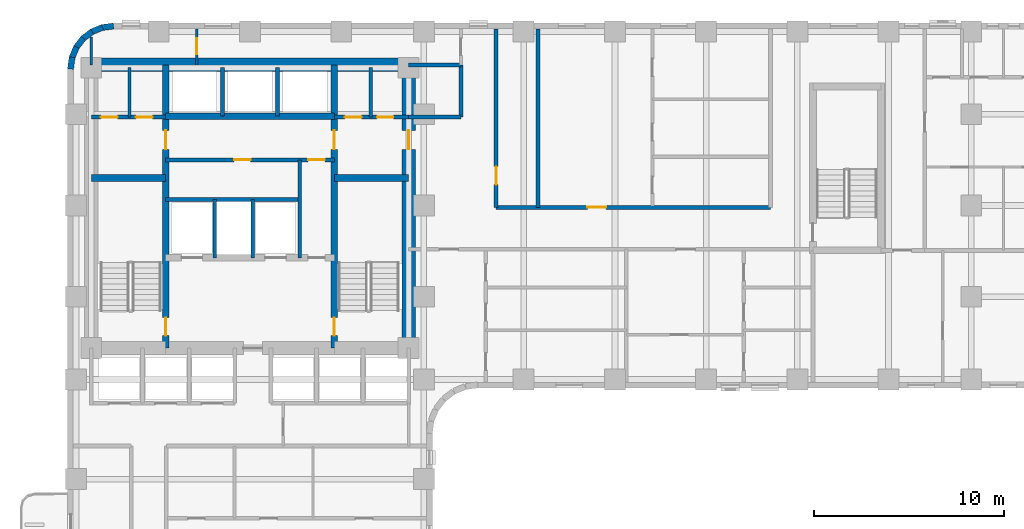
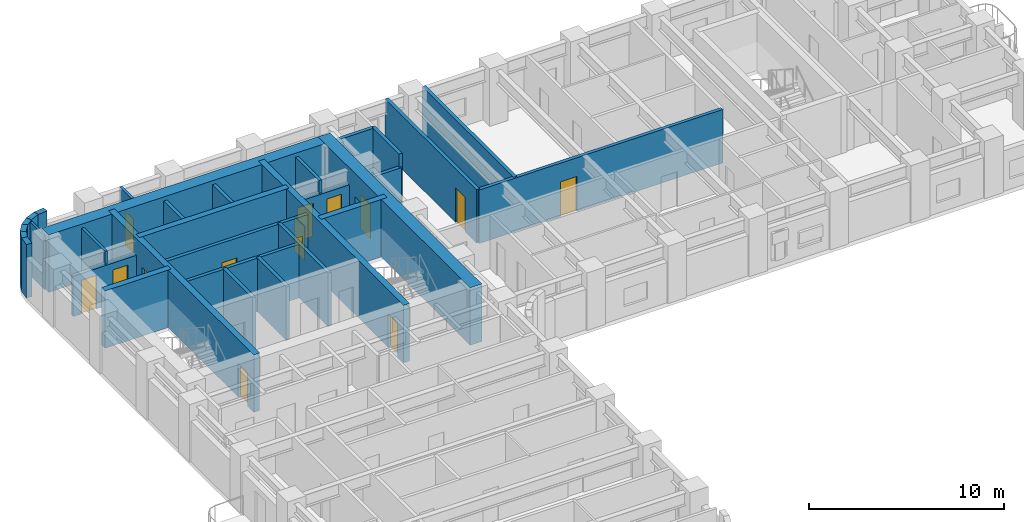
# One storey, part 7 of 12: 32 walls, 14 doors, 14 openings.
"""IFC4 building model written with IfcOpenShell, lengths in metres."""

from ifc_helpers import new_model, si_unit, direction, frame, frame_2d, origin, place, context, subcontext, project, spatial, rectangle, extrude, material, layer, layer_set, type_object, element, fill, save


model = new_model("IFC4")

# Units and contexts
model_context = context("Model", 3, precision=1e-05, world=origin(), true_north=direction((0.0, 1.0)))
body_context = subcontext(model_context, "Body", "Model", "MODEL_VIEW")
ifc_project = project(units=[si_unit("LENGTHUNIT", "METRE"), si_unit("AREAUNIT", "SQUARE_METRE"), si_unit("VOLUMEUNIT", "CUBIC_METRE"), si_unit("PLANEANGLEUNIT", "RADIAN"), si_unit("MASSUNIT", "GRAM", prefix="KILO")], contexts=[model_context])

# Site, building, storey
site_placement = place(None, origin())
site = spatial("IfcSite", under=ifc_project, at=site_placement, CompositionType="ELEMENT")
building_placement = place(site_placement, origin())
building = spatial("IfcBuilding", under=site, at=building_placement, Name="Orvandelia Arch Residences", CompositionType="ELEMENT")
storey_placement = place(building_placement, frame((0.0, 0.0, 71.800048828125)))
storey = spatial("IfcBuildingStorey", under=building, at=storey_placement, Name="L18", CompositionType="ELEMENT", Elevation=71.800048828125)

# Wall, openings, doors
ifc_material_1 = material(Name="Concrete C50/60", Category="concrete")
ifc_layer_1 = layer(ifc_material_1, 0.35009765625, Name="Concrete C50/60", Category="concrete")
ifc_layer_set_1 = layer_set([ifc_layer_1], Name="Concrete C50/60")
wall_type_1 = type_object("IfcWallType", Name="WL-CORE-350", PredefinedType="SHEAR", material=ifc_layer_set_1)
wall_1_placement = place(storey_placement, frame((9.9599609375, 30.89990234375, 0.0), z_axis=(0.0, 0.0, 1.0), x_axis=(0.0, 1.0, 0.0)))
wall_1 = element("IfcWall", 1, at=wall_1_placement, inside=storey, type_object=wall_type_1, Name="Core Shear Wall L18-WEB1", PredefinedType="SHEAR", context=body_context, shape_type="SweptSolid", body=[
    extrude(rectangle(XDim=14.900146484375, YDim=0.35009765625, at=frame_2d((7.4501953125, 0.0))), origin(), (0.0, 0.0, 1.0), 3.599853515625),
])
opening_1_placement = place(wall_1_placement, frame((0.64990234375, 0.0, 0.0)))
opening_1 = element("IfcOpeningElement", 2, at=opening_1_placement, cuts=wall_1, Name="Opening D7", PredefinedType="OPENING", context=body_context, shape_type="SweptSolid", body=[
    extrude(rectangle(XDim=0.949951171875, YDim=2.10009765625, at=frame_2d((0.47509765625, 1.050048828125))), frame((0.0, 0.18505859375, 0.0), z_axis=(0.0, -1.0, 0.0), x_axis=(1.0, 0.0, 0.0)), (0.0, 0.0, 1.0), 0.3701171875),
])
opening_2_placement = place(wall_1_placement, frame((10.449951171875, 0.0, 0.0)))
opening_2 = element("IfcOpeningElement", 3, at=opening_2_placement, cuts=wall_1, Name="Opening D6", PredefinedType="OPENING", context=body_context, shape_type="SweptSolid", body=[
    extrude(rectangle(XDim=1.0, YDim=2.14990234375, at=frame_2d((0.5, 1.074951171875))), frame((0.0, 0.18505859375, 0.0), z_axis=(0.0, -1.0, 0.0), x_axis=(1.0, 0.0, 0.0)), (0.0, 0.0, 1.0), 0.3701171875),
])
ifc_material_2 = material(Name="Smokeproof Painted Steel Fire Door", Category="steel")
door_type_1 = type_object("IfcDoorType", Name="DR-FD60-1000", OperationType="NOTDEFINED", PredefinedType="DOOR", material=ifc_material_2)
door_1_placement = place(opening_2_placement, origin())
door_1 = element("IfcDoor", 4, at=door_1_placement, inside=storey, type_object=door_type_1, Name="High-Rise Lift Hall West Vestibule Door L18", OperationType="SINGLE_SWING_LEFT", OverallHeight=2.14990234375, OverallWidth=1.0, PredefinedType="DOOR", context=body_context, shape_type="SweptSolid", body=[
    extrude(rectangle(XDim=1.0, YDim=2.14990234375, at=frame_2d((0.5, 1.074951171875))), frame((0.0, 0.02490234375, 0.0), z_axis=(0.0, -1.0, 0.0), x_axis=(1.0, 0.0, 0.0)), (0.0, 0.0, 1.0), 0.050048828125),
])
fill(opening_2, door_1)
ifc_material_3 = material(Name="Pressurised Stairwell Fire Door")
door_type_2 = type_object("IfcDoorType", Name="DR-STAIR-950", OperationType="NOTDEFINED", PredefinedType="DOOR", material=ifc_material_3)
door_2_placement = place(opening_1_placement, origin())
door_2 = element("IfcDoor", 5, at=door_2_placement, inside=storey, type_object=door_type_2, Name="Stairwell ST-1 Fire Door L18", OperationType="SINGLE_SWING_LEFT", OverallHeight=2.10009765625, OverallWidth=0.949951171875, PredefinedType="DOOR", context=body_context, shape_type="SweptSolid", body=[
    extrude(rectangle(XDim=0.949951171875, YDim=2.10009765625, at=frame_2d((0.47509765625, 1.050048828125))), frame((0.0, 0.02490234375, 0.0), z_axis=(0.0, -1.0, 0.0), x_axis=(1.0, 0.0, 0.0)), (0.0, 0.0, 1.0), 0.050048828125),
])
fill(opening_1, door_2)

wall_2_placement = place(storey_placement, frame((18.840087890625, 30.89990234375, 0.0), z_axis=(0.0, 0.0, 1.0), x_axis=(0.0, 1.0, 0.0)))
wall_2 = element("IfcWall", 6, at=wall_2_placement, inside=storey, type_object=wall_type_1, Name="Core Shear Wall L18-WEB2", PredefinedType="SHEAR", context=body_context, shape_type="SweptSolid", body=[
    extrude(rectangle(XDim=14.900146484375, YDim=0.35009765625, at=frame_2d((7.4501953125, 0.0))), origin(), (0.0, 0.0, 1.0), 3.599853515625),
])
opening_3_placement = place(wall_2_placement, frame((0.64990234375, 0.0, 0.0)))
opening_3 = element("IfcOpeningElement", 7, at=opening_3_placement, cuts=wall_2, Name="Opening D7", PredefinedType="OPENING", context=body_context, shape_type="SweptSolid", body=[
    extrude(rectangle(XDim=0.949951171875, YDim=2.10009765625, at=frame_2d((0.47509765625, 1.050048828125))), frame((0.0, 0.18505859375, 0.0), z_axis=(0.0, -1.0, 0.0), x_axis=(1.0, 0.0, 0.0)), (0.0, 0.0, 1.0), 0.3701171875),
])
opening_4_placement = place(wall_2_placement, frame((10.449951171875, 0.0, 0.0)))
opening_4 = element("IfcOpeningElement", 8, at=opening_4_placement, cuts=wall_2, Name="Opening D6", PredefinedType="OPENING", context=body_context, shape_type="SweptSolid", body=[
    extrude(rectangle(XDim=1.0, YDim=2.14990234375, at=frame_2d((0.5, 1.074951171875))), frame((0.0, 0.18505859375, 0.0), z_axis=(0.0, -1.0, 0.0), x_axis=(1.0, 0.0, 0.0)), (0.0, 0.0, 1.0), 0.3701171875),
])
door_3_placement = place(opening_4_placement, origin())
door_3 = element("IfcDoor", 9, at=door_3_placement, inside=storey, type_object=door_type_1, Name="High-Rise Lift Hall East Vestibule Door L18", OperationType="SINGLE_SWING_RIGHT", OverallHeight=2.14990234375, OverallWidth=1.0, PredefinedType="DOOR", context=body_context, shape_type="SweptSolid", body=[
    extrude(rectangle(XDim=1.0, YDim=2.14990234375, at=frame_2d((0.5, 1.074951171875))), frame((0.0, 0.02490234375, 0.0), z_axis=(0.0, -1.0, 0.0), x_axis=(1.0, 0.0, 0.0)), (0.0, 0.0, 1.0), 0.050048828125),
])
fill(opening_4, door_3)
door_4_placement = place(opening_3_placement, origin())
door_4 = element("IfcDoor", 10, at=door_4_placement, inside=storey, type_object=door_type_2, Name="Stairwell ST-2 Fire Door L18", OperationType="SINGLE_SWING_RIGHT", OverallHeight=2.10009765625, OverallWidth=0.949951171875, PredefinedType="DOOR", context=body_context, shape_type="SweptSolid", body=[
    extrude(rectangle(XDim=0.949951171875, YDim=2.10009765625, at=frame_2d((0.47509765625, 1.050048828125))), frame((0.0, 0.02490234375, 0.0), z_axis=(0.0, -1.0, 0.0), x_axis=(1.0, 0.0, 0.0)), (0.0, 0.0, 1.0), 0.050048828125),
])
fill(opening_3, door_4)

# Walls
for number, where, z_axis, x_axis, name in (
    (11, (6.050048828125, 39.85009765625, 0.0), (0.0, 0.0, 1.0), (1.0, 0.0, 0.0), "Core Shear Wall L18-HZ1"),
    (12, (18.840087890625, 39.85009765625, 0.0), (0.0, 0.0, 1.0), (1.0, 0.0, 0.0), "Core Shear Wall L18-HZ2"),
):
    element("IfcWall", number, at=place(storey_placement, frame(where, z_axis=z_axis, x_axis=x_axis)), inside=storey, type_object=wall_type_1, Name=name, PredefinedType="SHEAR", context=body_context, shape_type="SweptSolid", body=[
        extrude(rectangle(XDim=3.909912109375, YDim=0.35009765625, at=frame_2d((1.955078125, 0.0))), origin(), (0.0, 0.0, 1.0), 3.599853515625),
    ])
wall_3_placement = place(storey_placement, frame((9.9599609375, 43.10009765625, 0.0), z_axis=(0.0, 0.0, 1.0), x_axis=(1.0, 0.0, 0.0)))
element("IfcWall", 13, at=wall_3_placement, inside=storey, type_object=wall_type_1, Name="Core Shear Wall L18-HZ4", PredefinedType="SHEAR", context=body_context, shape_type="SweptSolid", body=[
    extrude(rectangle(XDim=8.880126953125, YDim=0.35009765625, at=frame_2d((4.43994140625, 0.0))), origin(), (0.0, 0.0, 1.0), 3.599853515625),
])

# Wall, opening, door
ifc_material_4 = material(Name="Concrete C80/95", Category="concrete")
ifc_layer_2 = layer(ifc_material_4, 0.699951171875, Name="Concrete C80/95", Category="concrete")
ifc_layer_set_2 = layer_set([ifc_layer_2], Name="Concrete C80/95")
wall_type_2 = type_object("IfcWallType", Name="WL-CORE-700", PredefinedType="SHEAR", material=ifc_layer_set_2)
wall_4_placement = place(storey_placement, frame((22.75, 30.550048828125, 0.0), z_axis=(0.0, 0.0, 1.0), x_axis=(0.0, 1.0, 0.0)))
wall_4 = element("IfcWall", 14, at=wall_4_placement, inside=storey, type_object=wall_type_2, Name="Core Shear Wall L18-E", PredefinedType="SHEAR", context=body_context, shape_type="SweptSolid", body=[
    extrude(rectangle(XDim=15.599853515625, YDim=0.699951171875, at=frame_2d((7.7998046875, 0.0))), origin(), (0.0, 0.0, 1.0), 3.599853515625),
])
opening_5_placement = place(wall_4_placement, frame((10.800048828125, 0.0, 0.0)))
opening_5 = element("IfcOpeningElement", 15, at=opening_5_placement, cuts=wall_4, Name="Opening D6", PredefinedType="OPENING", context=body_context, shape_type="SweptSolid", body=[
    extrude(rectangle(XDim=1.0, YDim=2.14990234375, at=frame_2d((0.5, 1.074951171875))), frame((0.0, 0.35986328125, 0.0), z_axis=(0.0, -1.0, 0.0), x_axis=(1.0, 0.0, 0.0)), (0.0, 0.0, 1.0), 0.719970703125),
])
door_5_placement = place(opening_5_placement, origin())
door_5 = element("IfcDoor", 16, at=door_5_placement, inside=storey, type_object=door_type_1, Name="Core East Corridor Link Door L18", OperationType="SINGLE_SWING_LEFT", OverallHeight=2.14990234375, OverallWidth=1.0, PredefinedType="DOOR", context=body_context, shape_type="SweptSolid", body=[
    extrude(rectangle(XDim=1.0, YDim=2.14990234375, at=frame_2d((0.5, 1.074951171875))), frame((0.0, 0.02490234375, 0.0), z_axis=(0.0, -1.0, 0.0), x_axis=(1.0, 0.0, 0.0)), (0.0, 0.0, 1.0), 0.050048828125),
])
fill(opening_5, door_5)

# Walls
wall_5_placement = place(storey_placement, frame((6.050048828125, 45.800048828125, 0.0), z_axis=(0.0, 0.0, 1.0), x_axis=(1.0, 0.0, 0.0)))
element("IfcWall", 17, at=wall_5_placement, inside=storey, type_object=wall_type_2, Name="Core Shear Wall L18-N", PredefinedType="SHEAR", context=body_context, shape_type="SweptSolid", body=[
    extrude(rectangle(XDim=16.699951171875, YDim=0.699951171875, at=frame_2d((8.35009765625, 0.0))), origin(), (0.0, 0.0, 1.0), 3.599853515625),
])
ifc_material_5 = material(Name="Fire-Rated Corridor Partition")
ifc_layer_3 = layer(ifc_material_5, 0.199951171875, Name="Fire-Rated Corridor Partition")
ifc_layer_set_3 = layer_set([ifc_layer_3], Name="Fire-Rated Corridor Partition")
wall_type_3 = type_object("IfcWallType", Name="WL-CORR-200", PredefinedType="PARTITIONING", material=ifc_layer_set_3)
wall_6_placement = place(storey_placement, frame((22.75, 45.800048828125, 0.0), z_axis=(0.0, 0.0, 1.0), x_axis=(1.0, 0.0, 0.0)))
element("IfcWall", 18, at=wall_6_placement, inside=storey, type_object=wall_type_3, Name="Interior Partition Wall WL-L18-NCE-S", PredefinedType="PARTITIONING", context=body_context, shape_type="SweptSolid", body=[
    extrude(rectangle(XDim=2.75, YDim=0.199951171875, at=frame_2d((1.375, 0.0))), origin(), (0.0, 0.0, 1.0), 3.349853515625),
])

# Wall, opening, door
wall_7_placement = place(storey_placement, frame((27.35009765625, 38.300048828125, 0.0), z_axis=(0.0, 0.0, 1.0), x_axis=(1.0, 0.0, 0.0)))
wall_7 = element("IfcWall", 19, at=wall_7_placement, inside=storey, type_object=wall_type_3, Name="Interior Partition Wall WL-L18-EM-N", PredefinedType="PARTITIONING", context=body_context, shape_type="SweptSolid", body=[
    extrude(rectangle(XDim=14.429931640625, YDim=0.199951171875, at=frame_2d((7.21484375, 0.0))), origin(), (0.0, 0.0, 1.0), 3.349853515625),
])
opening_6_placement = place(wall_7_placement, frame((4.803466796875, 0.0, 0.0)))
opening_6 = element("IfcOpeningElement", 20, at=opening_6_placement, cuts=wall_7, Name="Opening D1", PredefinedType="OPENING", context=body_context, shape_type="SweptSolid", body=[
    extrude(rectangle(XDim=0.97998046875, YDim=2.179931640625, at=frame_2d((0.489990234375, 1.08984375))), frame((0.0, 0.10986328125, 0.0), z_axis=(0.0, -1.0, 0.0), x_axis=(1.0, 0.0, 0.0)), (0.0, 0.0, 1.0), 0.219970703125),
])
ifc_material_6 = material(Name="Solid-Core Timber Acoustic Fire Door", Category="wood")
door_type_3 = type_object("IfcDoorType", Name="DR-ENT-980", OperationType="NOTDEFINED", PredefinedType="DOOR", material=ifc_material_6)
door_6_placement = place(opening_6_placement, origin())
door_6 = element("IfcDoor", 21, at=door_6_placement, inside=storey, type_object=door_type_3, Name="Unit L18-06 Entrance Door", OperationType="SINGLE_SWING_RIGHT", OverallHeight=2.179931640625, OverallWidth=0.97998046875, PredefinedType="DOOR", context=body_context, shape_type="SweptSolid", body=[
    extrude(rectangle(XDim=0.97998046875, YDim=2.179931640625, at=frame_2d((0.489990234375, 1.08984375))), frame((0.0, 0.02490234375, 0.0), z_axis=(0.0, -1.0, 0.0), x_axis=(1.0, 0.0, 0.0)), (0.0, 0.0, 1.0), 0.050048828125),
])
fill(opening_6, door_6)

wall_8_placement = place(storey_placement, frame((27.35009765625, 38.300048828125, 0.0), z_axis=(0.0, 0.0, 1.0), x_axis=(0.0, 1.0, 0.0)))
wall_8 = element("IfcWall", 22, at=wall_8_placement, inside=storey, type_object=wall_type_3, Name="Interior Partition Wall WL-L18-EM-NCE", PredefinedType="PARTITIONING", context=body_context, shape_type="SweptSolid", body=[
    extrude(rectangle(XDim=9.3798828125, YDim=0.199951171875, at=frame_2d((4.68994140625, 0.0))), origin(), (0.0, 0.0, 1.0), 3.349853515625),
])
opening_7_placement = place(wall_8_placement, frame((1.199951171875, 0.0, 0.0)))
opening_7 = element("IfcOpeningElement", 23, at=opening_7_placement, cuts=wall_8, Name="Opening D2", PredefinedType="OPENING", context=body_context, shape_type="SweptSolid", body=[
    extrude(rectangle(XDim=0.949951171875, YDim=2.14990234375, at=frame_2d((0.47509765625, 1.074951171875))), frame((0.0, 0.10986328125, 0.0), z_axis=(0.0, -1.0, 0.0), x_axis=(1.0, 0.0, 0.0)), (0.0, 0.0, 1.0), 0.219970703125),
])
ifc_material_7 = material(Name="Solid-Core Timber Interior Fire Door", Category="wood")
door_type_4 = type_object("IfcDoorType", Name="DR-APT-950", OperationType="NOTDEFINED", PredefinedType="DOOR", material=ifc_material_7)
door_7_placement = place(opening_7_placement, origin())
door_7 = element("IfcDoor", 24, at=door_7_placement, inside=storey, type_object=door_type_4, Name="DR-L18-LDY", OperationType="SINGLE_SWING_RIGHT", OverallHeight=2.14990234375, OverallWidth=0.949951171875, PredefinedType="DOOR", context=body_context, shape_type="SweptSolid", body=[
    extrude(rectangle(XDim=0.949951171875, YDim=2.14990234375, at=frame_2d((0.47509765625, 1.074951171875))), frame((0.0, 0.02490234375, 0.0), z_axis=(0.0, -1.0, 0.0), x_axis=(1.0, 0.0, 0.0)), (0.0, 0.0, 1.0), 0.050048828125),
])
fill(opening_7, door_7)

# Walls
wall_9_placement = place(storey_placement, frame((22.75, 43.050048828125, 0.0), z_axis=(0.0, 0.0, 1.0), x_axis=(1.0, 0.0, 0.0)))
element("IfcWall", 25, at=wall_9_placement, inside=storey, type_object=wall_type_3, Name="Interior Partition Wall WL-L18-EM-LS", PredefinedType="PARTITIONING", context=body_context, shape_type="SweptSolid", body=[
    extrude(rectangle(XDim=2.75, YDim=0.199951171875, at=frame_2d((1.375, 0.0))), origin(), (0.0, 0.0, 1.0), 2.530029296875),
])
wall_10_placement = place(storey_placement, frame((25.5, 43.050048828125, 0.0), z_axis=(0.0, 0.0, 1.0), x_axis=(0.0, 1.0, 0.0)))
element("IfcWall", 26, at=wall_10_placement, inside=storey, type_object=wall_type_3, Name="Interior Partition Wall WL-L18-EM-LW2", PredefinedType="PARTITIONING", context=body_context, shape_type="SweptSolid", body=[
    extrude(rectangle(XDim=2.75, YDim=0.199951171875, at=frame_2d((1.375, 0.0))), origin(), (0.0, 0.0, 1.0), 3.349853515625),
])
ifc_material_8 = material(Name="Concrete C40/50", Category="concrete")
ifc_layer_4 = layer(ifc_material_8, 0.199951171875, Name="Concrete C40/50", Category="concrete")
ifc_layer_set_4 = layer_set([ifc_layer_4], Name="Concrete C40/50")
wall_type_4 = type_object("IfcWallType", Name="WL-DEM-200", PredefinedType="SOLIDWALL", material=ifc_layer_set_4)
wall_11_placement = place(storey_placement, frame((29.550048828125, 38.300048828125, 0.0), z_axis=(0.0, 0.0, 1.0), x_axis=(0.0, 1.0, 0.0)))
element("IfcWall", 27, at=wall_11_placement, inside=storey, type_object=wall_type_4, Name="Interior Partition Wall WL-L18-EM-LDE", PredefinedType="SOLIDWALL", context=body_context, shape_type="SweptSolid", body=[
    extrude(rectangle(XDim=9.3798828125, YDim=0.199951171875, at=frame_2d((4.68994140625, 0.0))), origin(), (0.0, 0.0, 1.0), 3.349853515625),
])
ifc_material_9 = material(Name="Precast concrete C40/50", Category="concrete")
ifc_layer_5 = layer(ifc_material_9, 0.320068359375, Name="Precast concrete C40/50", Category="concrete")
ifc_layer_set_5 = layer_set([ifc_layer_5], Name="Precast concrete C40/50")
wall_type_5 = type_object("IfcWallType", Name="WL-EXT-STONE-320", PredefinedType="STANDARD", material=ifc_layer_set_5)
for number, where, z_axis, x_axis, name in (
    (28, (4.95849609375, 45.5791015625, 0.0), (0.0, 0.0, 1.0), (0.130555323746, 0.9914410257, 0.0), "Coral-Limestone Precast Facade Wall L18-001"),
    (29, (5.029541015625, 46.159912109375, 0.0), (0.0, 0.0, 1.0), (0.382650053678, 0.92389335771, 0.0), "Coral-Limestone Precast Facade Wall L18-002"),
):
    element("IfcWall", number, at=place(storey_placement, frame(where, z_axis=z_axis, x_axis=x_axis)), inside=storey, type_object=wall_type_5, Name=name, PredefinedType="STANDARD", context=body_context, shape_type="SweptSolid", body=[
        extrude(rectangle(XDim=0.62646484375, YDim=0.320068359375, at=frame_2d((0.313232421875, 0.0))), origin(), (0.0, 0.0, 1.0), 3.349853515625),
    ])
wall_12_placement = place(storey_placement, frame((5.248291015625, 46.70263671875, 0.0), z_axis=(0.0, 0.0, 1.0), x_axis=(0.608938521285, 0.7932174212, 0.0)))
element("IfcWall", 30, at=wall_12_placement, inside=storey, type_object=wall_type_5, Name="Coral-Limestone Precast Facade Wall L18-003", PredefinedType="STANDARD", context=body_context, shape_type="SweptSolid", body=[
    extrude(rectangle(XDim=0.626708984375, YDim=0.320068359375, at=frame_2d((0.3134765625, 0.0))), origin(), (0.0, 0.0, 1.0), 3.349853515625),
])
wall_13_placement = place(storey_placement, frame((5.600341796875, 47.170166015625, 0.0), z_axis=(0.0, 0.0, 1.0), x_axis=(0.793405610854, 0.608693302629, 0.0)))
element("IfcWall", 31, at=wall_13_placement, inside=storey, type_object=wall_type_5, Name="Coral-Limestone Precast Facade Wall L18-004", PredefinedType="STANDARD", context=body_context, shape_type="SweptSolid", body=[
    extrude(rectangle(XDim=0.62646484375, YDim=0.320068359375, at=frame_2d((0.313232421875, 0.0))), origin(), (0.0, 0.0, 1.0), 3.349853515625),
])
wall_14_placement = place(storey_placement, frame((6.061279296875, 47.53076171875, 0.0), z_axis=(0.0, 0.0, 1.0), x_axis=(0.923836271867, 0.382787856107, 0.0)))
element("IfcWall", 32, at=wall_14_placement, inside=storey, type_object=wall_type_5, Name="Coral-Limestone Precast Facade Wall L18-005", PredefinedType="STANDARD", context=body_context, shape_type="SweptSolid", body=[
    extrude(rectangle(XDim=0.626220703125, YDim=0.320068359375, at=frame_2d((0.31298828125, 0.0))), origin(), (0.0, 0.0, 1.0), 3.349853515625),
])
wall_15_placement = place(storey_placement, frame((6.599609375, 47.759521484375, 0.0), z_axis=(0.0, 0.0, 1.0), x_axis=(0.991447664465, 0.130504898859, 0.0)))
element("IfcWall", 33, at=wall_15_placement, inside=storey, type_object=wall_type_5, Name="Coral-Limestone Precast Facade Wall L18-006", PredefinedType="STANDARD", context=body_context, shape_type="SweptSolid", body=[
    extrude(rectangle(XDim=0.626708984375, YDim=0.320068359375, at=frame_2d((0.3134765625, 0.0))), origin(), (0.0, 0.0, 1.0), 3.349853515625),
])
ifc_material_10 = material(Name="Acoustic Gypsum Stud Partition")
ifc_layer_6 = layer(ifc_material_10, 0.14990234375, Name="Acoustic Gypsum Stud Partition")
ifc_layer_set_6 = layer_set([ifc_layer_6], Name="Acoustic Gypsum Stud Partition")
wall_type_6 = type_object("IfcWallType", Name="WL-PART-150", PredefinedType="PARTITIONING", material=ifc_layer_set_6)
wall_16_placement = place(storey_placement, frame((8.06005859375, 43.050048828125, 0.0), z_axis=(0.0, 0.0, 1.0), x_axis=(0.0, 1.0, 0.0)))
element("IfcWall", 34, at=wall_16_placement, inside=storey, type_object=wall_type_6, Name="Interior Partition Wall WL-L18-CRELC-M", PredefinedType="PARTITIONING", context=body_context, shape_type="SweptSolid", body=[
    extrude(rectangle(XDim=2.599853515625, YDim=0.14990234375, at=frame_2d((1.2998046875, 0.0))), origin(), (0.0, 0.0, 1.0), 3.349853515625),
])
wall_17_placement = place(storey_placement, frame((6.050048828125, 45.800048828125, 0.0), z_axis=(0.0, 0.0, 1.0), x_axis=(0.0, 1.0, 0.0)))
element("IfcWall", 35, at=wall_17_placement, inside=storey, type_object=wall_type_6, Name="Interior Partition Wall WL-L18-NC-W6", PredefinedType="PARTITIONING", context=body_context, shape_type="SweptSolid", body=[
    extrude(rectangle(XDim=1.4599609375, YDim=0.14990234375, at=frame_2d((0.72998046875, 0.0))), origin(), (0.0, 0.0, 1.0), 3.349853515625),
])

# Wall, opening, door
wall_18_placement = place(storey_placement, frame((11.60009765625, 45.800048828125, 0.0), z_axis=(0.0, 0.0, 1.0), x_axis=(0.0, 1.0, 0.0)))
wall_18 = element("IfcWall", 36, at=wall_18_placement, inside=storey, type_object=wall_type_6, Name="Interior Partition Wall WL-L18-NC-M", PredefinedType="PARTITIONING", context=body_context, shape_type="SweptSolid", body=[
    extrude(rectangle(XDim=1.8798828125, YDim=0.14990234375, at=frame_2d((0.93994140625, 0.0))), origin(), (0.0, 0.0, 1.0), 3.349853515625),
])
opening_8_placement = place(wall_18_placement, frame((0.550048828125, 0.0, 0.0)))
opening_8 = element("IfcOpeningElement", 37, at=opening_8_placement, cuts=wall_18, Name="Opening D4", PredefinedType="OPENING", context=body_context, shape_type="SweptSolid", body=[
    extrude(rectangle(XDim=0.860107421875, YDim=2.10009765625, at=frame_2d((0.43017578125, 1.050048828125))), frame((0.0, 0.0849609375, 0.0), z_axis=(0.0, -1.0, 0.0), x_axis=(1.0, 0.0, 0.0)), (0.0, 0.0, 1.0), 0.169921875),
])
ifc_material_11 = material(Name="Moisture-Sealed Timber Bathroom Door", Category="wood")
door_type_5 = type_object("IfcDoorType", Name="DR-WET-900", OperationType="NOTDEFINED", PredefinedType="DOOR", material=ifc_material_11)
door_8_placement = place(opening_8_placement, origin())
door_8 = element("IfcDoor", 38, at=door_8_placement, inside=storey, type_object=door_type_5, Name="DR-L18-NCS1", OperationType="SINGLE_SWING_LEFT", OverallHeight=2.10009765625, OverallWidth=0.860107421875, PredefinedType="DOOR", context=body_context, shape_type="SweptSolid", body=[
    extrude(rectangle(XDim=0.860107421875, YDim=2.10009765625, at=frame_2d((0.43017578125, 1.050048828125))), frame((0.0, 0.02490234375, 0.0), z_axis=(0.0, -1.0, 0.0), x_axis=(1.0, 0.0, 0.0)), (0.0, 0.0, 1.0), 0.050048828125),
])
fill(opening_8, door_8)

# Walls
ifc_material_12 = material(Name="Fire-Rated Shaft Enclosure Wall")
ifc_layer_7 = layer(ifc_material_12, 0.199951171875, Name="Fire-Rated Shaft Enclosure Wall")
ifc_layer_set_7 = layer_set([ifc_layer_7], Name="Fire-Rated Shaft Enclosure Wall")
wall_type_7 = type_object("IfcWallType", Name="WL-SHAFT-200", PredefinedType="POLYGONAL", material=ifc_layer_set_7)
wall_19_placement = place(storey_placement, frame((9.9599609375, 38.719970703125, 0.0), z_axis=(0.0, 0.0, 1.0), x_axis=(1.0, 0.0, 0.0)))
element("IfcWall", 39, at=wall_19_placement, inside=storey, type_object=wall_type_7, Name="Interior Partition Wall WL-L18-FLN", PredefinedType="POLYGONAL", context=body_context, shape_type="SweptSolid", body=[
    extrude(rectangle(XDim=7.06005859375, YDim=0.199951171875, at=frame_2d((3.530029296875, 0.0))), origin(), (0.0, 0.0, 1.0), 3.349853515625),
])
for number, where, z_axis, x_axis, name in (
    (40, (12.550048828125, 35.64990234375, 0.0), (0.0, 0.0, 1.0), (0.0, 1.0, 0.0), "Interior Partition Wall WL-L18-FLM1"),
    (41, (14.550048828125, 35.64990234375, 0.0), (0.0, 0.0, 1.0), (0.0, 1.0, 0.0), "Interior Partition Wall WL-L18-FLM2"),
):
    element("IfcWall", number, at=place(storey_placement, frame(where, z_axis=z_axis, x_axis=x_axis)), inside=storey, type_object=wall_type_7, Name=name, PredefinedType="POLYGONAL", context=body_context, shape_type="SweptSolid", body=[
        extrude(rectangle(XDim=3.070068359375, YDim=0.199951171875, at=frame_2d((1.53515625, 0.0))), origin(), (0.0, 0.0, 1.0), 3.349853515625),
    ])
wall_20_placement = place(storey_placement, frame((17.02001953125, 35.64990234375, 0.0), z_axis=(0.0, 0.0, 1.0), x_axis=(0.0, 1.0, 0.0)))
element("IfcWall", 42, at=wall_20_placement, inside=storey, type_object=wall_type_7, Name="Interior Partition Wall WL-L18-FLM3", PredefinedType="POLYGONAL", context=body_context, shape_type="SweptSolid", body=[
    extrude(rectangle(XDim=5.150146484375, YDim=0.199951171875, at=frame_2d((2.5751953125, 0.0))), origin(), (0.0, 0.0, 1.0), 3.349853515625),
])

# Wall, openings, doors
wall_21_placement = place(storey_placement, frame((9.9599609375, 40.800048828125, 0.0), z_axis=(0.0, 0.0, 1.0), x_axis=(1.0, 0.0, 0.0)))
wall_21 = element("IfcWall", 43, at=wall_21_placement, inside=storey, type_object=wall_type_7, Name="Interior Partition Wall WL-L18-HLH-S", PredefinedType="POLYGONAL", context=body_context, shape_type="SweptSolid", body=[
    extrude(rectangle(XDim=8.880126953125, YDim=0.199951171875, at=frame_2d((4.43994140625, 0.0))), origin(), (0.0, 0.0, 1.0), 3.349853515625),
])
opening_9_placement = place(wall_21_placement, frame((7.5, 0.0, 0.0)))
opening_9 = element("IfcOpeningElement", 44, at=opening_9_placement, cuts=wall_21, Name="Opening D5", PredefinedType="OPENING", context=body_context, shape_type="SweptSolid", body=[
    extrude(rectangle(XDim=0.8798828125, YDim=2.10009765625, at=frame_2d((0.43994140625, 1.050048828125))), frame((0.0, 0.10986328125, 0.0), z_axis=(0.0, -1.0, 0.0), x_axis=(1.0, 0.0, 0.0)), (0.0, 0.0, 1.0), 0.219970703125),
])
opening_10_placement = place(wall_21_placement, frame((3.60009765625, 0.0, 0.0)))
opening_10 = element("IfcOpeningElement", 45, at=opening_10_placement, cuts=wall_21, Name="Opening D5", PredefinedType="OPENING", context=body_context, shape_type="SweptSolid", body=[
    extrude(rectangle(XDim=0.8798828125, YDim=2.10009765625, at=frame_2d((0.43994140625, 1.050048828125))), frame((0.0, 0.10986328125, 0.0), z_axis=(0.0, -1.0, 0.0), x_axis=(1.0, 0.0, 0.0)), (0.0, 0.0, 1.0), 0.219970703125),
])
ifc_material_13 = material(Name="Painted Galvanised Steel Service Door", Category="steel")
door_type_6 = type_object("IfcDoorType", Name="DR-SRV-880", OperationType="NOTDEFINED", PredefinedType="DOOR", material=ifc_material_13)
door_9_placement = place(opening_9_placement, origin())
door_9 = element("IfcDoor", 46, at=door_9_placement, inside=storey, type_object=door_type_6, Name="Core Stairway Passage North Fire Door L18", OperationType="SINGLE_SWING_RIGHT", OverallHeight=2.10009765625, OverallWidth=0.8798828125, PredefinedType="DOOR", context=body_context, shape_type="SweptSolid", body=[
    extrude(rectangle(XDim=0.8798828125, YDim=2.10009765625, at=frame_2d((0.43994140625, 1.050048828125))), frame((0.0, 0.02490234375, 0.0), z_axis=(0.0, -1.0, 0.0), x_axis=(1.0, 0.0, 0.0)), (0.0, 0.0, 1.0), 0.050048828125),
])
fill(opening_9, door_9)
door_10_placement = place(opening_10_placement, origin())
door_10 = element("IfcDoor", 47, at=door_10_placement, inside=storey, type_object=door_type_6, Name="DR-L18-CSA1", OperationType="SINGLE_SWING_LEFT", OverallHeight=2.10009765625, OverallWidth=0.8798828125, PredefinedType="DOOR", context=body_context, shape_type="SweptSolid", body=[
    extrude(rectangle(XDim=0.8798828125, YDim=2.10009765625, at=frame_2d((0.43994140625, 1.050048828125))), frame((0.0, 0.02490234375, 0.0), z_axis=(0.0, -1.0, 0.0), x_axis=(1.0, 0.0, 0.0)), (0.0, 0.0, 1.0), 0.050048828125),
])
fill(opening_10, door_10)

wall_22_placement = place(storey_placement, frame((18.840087890625, 43.050048828125, 0.0), z_axis=(0.0, 0.0, 1.0), x_axis=(1.0, 0.0, 0.0)))
wall_22 = element("IfcWall", 48, at=wall_22_placement, inside=storey, type_object=wall_type_7, Name="Interior Partition Wall WL-L18-HLE-N", PredefinedType="POLYGONAL", context=body_context, shape_type="SweptSolid", body=[
    extrude(rectangle(XDim=3.909912109375, YDim=0.199951171875, at=frame_2d((1.955078125, 0.0))), origin(), (0.0, 0.0, 1.0), 2.530029296875),
])
opening_11_placement = place(wall_22_placement, frame((0.550048828125, 0.0, 0.0)))
opening_11 = element("IfcOpeningElement", 49, at=opening_11_placement, cuts=wall_22, Name="Opening D5", PredefinedType="OPENING", context=body_context, shape_type="SweptSolid", body=[
    extrude(rectangle(XDim=0.8798828125, YDim=2.10009765625, at=frame_2d((0.43994140625, 1.050048828125))), frame((0.0, 0.10986328125, 0.0), z_axis=(0.0, -1.0, 0.0), x_axis=(1.0, 0.0, 0.0)), (0.0, 0.0, 1.0), 0.219970703125),
])
opening_12_placement = place(wall_22_placement, frame((2.25, 0.0, 0.0)))
opening_12 = element("IfcOpeningElement", 50, at=opening_12_placement, cuts=wall_22, Name="Opening D4", PredefinedType="OPENING", context=body_context, shape_type="SweptSolid", body=[
    extrude(rectangle(XDim=0.860107421875, YDim=2.10009765625, at=frame_2d((0.43017578125, 1.050048828125))), frame((0.0, 0.10986328125, 0.0), z_axis=(0.0, -1.0, 0.0), x_axis=(1.0, 0.0, 0.0)), (0.0, 0.0, 1.0), 0.219970703125),
])
door_11_placement = place(opening_11_placement, origin())
door_11 = element("IfcDoor", 51, at=door_11_placement, inside=storey, type_object=door_type_6, Name="DR-L18-CSB1", OperationType="SINGLE_SWING_LEFT", OverallHeight=2.10009765625, OverallWidth=0.8798828125, PredefinedType="DOOR", context=body_context, shape_type="SweptSolid", body=[
    extrude(rectangle(XDim=0.8798828125, YDim=2.10009765625, at=frame_2d((0.43994140625, 1.050048828125))), frame((0.0, 0.02490234375, 0.0), z_axis=(0.0, -1.0, 0.0), x_axis=(1.0, 0.0, 0.0)), (0.0, 0.0, 1.0), 0.050048828125),
])
fill(opening_11, door_11)
door_12_placement = place(opening_12_placement, origin())
door_12 = element("IfcDoor", 52, at=door_12_placement, inside=storey, type_object=door_type_5, Name="DR-L18-CSB2", OperationType="SINGLE_SWING_RIGHT", OverallHeight=2.10009765625, OverallWidth=0.860107421875, PredefinedType="DOOR", context=body_context, shape_type="SweptSolid", body=[
    extrude(rectangle(XDim=0.860107421875, YDim=2.10009765625, at=frame_2d((0.43017578125, 1.050048828125))), frame((0.0, 0.02490234375, 0.0), z_axis=(0.0, -1.0, 0.0), x_axis=(1.0, 0.0, 0.0)), (0.0, 0.0, 1.0), 0.050048828125),
])
fill(opening_12, door_12)

wall_23_placement = place(storey_placement, frame((6.050048828125, 43.050048828125, 0.0), z_axis=(0.0, 0.0, 1.0), x_axis=(1.0, 0.0, 0.0)))
wall_23 = element("IfcWall", 53, at=wall_23_placement, inside=storey, type_object=wall_type_7, Name="Interior Partition Wall WL-L18-HLW-N", PredefinedType="POLYGONAL", context=body_context, shape_type="SweptSolid", body=[
    extrude(rectangle(XDim=3.909912109375, YDim=0.199951171875, at=frame_2d((1.955078125, 0.0))), origin(), (0.0, 0.0, 1.0), 2.530029296875),
])
opening_13_placement = place(wall_23_placement, frame((0.5, 0.0, 0.0)))
opening_13 = element("IfcOpeningElement", 54, at=opening_13_placement, cuts=wall_23, Name="Opening D5", PredefinedType="OPENING", context=body_context, shape_type="SweptSolid", body=[
    extrude(rectangle(XDim=0.8798828125, YDim=2.10009765625, at=frame_2d((0.43994140625, 1.050048828125))), frame((0.0, 0.10986328125, 0.0), z_axis=(0.0, -1.0, 0.0), x_axis=(1.0, 0.0, 0.0)), (0.0, 0.0, 1.0), 0.219970703125),
])
opening_14_placement = place(wall_23_placement, frame((2.35009765625, 0.0, 0.0)))
opening_14 = element("IfcOpeningElement", 55, at=opening_14_placement, cuts=wall_23, Name="Opening D5", PredefinedType="OPENING", context=body_context, shape_type="SweptSolid", body=[
    extrude(rectangle(XDim=0.8798828125, YDim=2.10009765625, at=frame_2d((0.43994140625, 1.050048828125))), frame((0.0, 0.10986328125, 0.0), z_axis=(0.0, -1.0, 0.0), x_axis=(1.0, 0.0, 0.0)), (0.0, 0.0, 1.0), 0.219970703125),
])
door_13_placement = place(opening_13_placement, origin())
door_13 = element("IfcDoor", 56, at=door_13_placement, inside=storey, type_object=door_type_6, Name="DR-L18-CRELC1", OperationType="SINGLE_SWING_LEFT", OverallHeight=2.10009765625, OverallWidth=0.8798828125, PredefinedType="DOOR", context=body_context, shape_type="SweptSolid", body=[
    extrude(rectangle(XDim=0.8798828125, YDim=2.10009765625, at=frame_2d((0.43994140625, 1.050048828125))), frame((0.0, 0.02490234375, 0.0), z_axis=(0.0, -1.0, 0.0), x_axis=(1.0, 0.0, 0.0)), (0.0, 0.0, 1.0), 0.050048828125),
])
fill(opening_13, door_13)
door_14_placement = place(opening_14_placement, origin())
door_14 = element("IfcDoor", 57, at=door_14_placement, inside=storey, type_object=door_type_6, Name="DR-L18-CRELC2", OperationType="SINGLE_SWING_RIGHT", OverallHeight=2.10009765625, OverallWidth=0.8798828125, PredefinedType="DOOR", context=body_context, shape_type="SweptSolid", body=[
    extrude(rectangle(XDim=0.8798828125, YDim=2.10009765625, at=frame_2d((0.43994140625, 1.050048828125))), frame((0.0, 0.02490234375, 0.0), z_axis=(0.0, -1.0, 0.0), x_axis=(1.0, 0.0, 0.0)), (0.0, 0.0, 1.0), 0.050048828125),
])
fill(opening_14, door_14)

# Walls
for number, where, z_axis, x_axis, name in (
    (58, (12.949951171875, 43.10009765625, 0.0), (0.0, 0.0, 1.0), (0.0, 1.0, 0.0), "Interior Partition Wall WL-L18-PHD1"),
    (59, (15.85009765625, 43.10009765625, 0.0), (0.0, 0.0, 1.0), (0.0, 1.0, 0.0), "Interior Partition Wall WL-L18-PHD2"),
):
    element("IfcWall", number, at=place(storey_placement, frame(where, z_axis=z_axis, x_axis=x_axis)), inside=storey, type_object=wall_type_7, Name=name, PredefinedType="POLYGONAL", context=body_context, shape_type="SweptSolid", body=[
        extrude(rectangle(XDim=2.5498046875, YDim=0.199951171875, at=frame_2d((1.27490234375, 0.0))), origin(), (0.0, 0.0, 1.0), 3.349853515625),
    ])
ifc_material_14 = material(Name="Moisture-Resistant Plumbing Wall")
ifc_layer_8 = layer(ifc_material_14, 0.179931640625, Name="Moisture-Resistant Plumbing Wall")
ifc_layer_set_8 = layer_set([ifc_layer_8], Name="Moisture-Resistant Plumbing Wall")
wall_type_8 = type_object("IfcWallType", Name="WL-WET-180", PredefinedType="PLUMBINGWALL", material=ifc_layer_set_8)
wall_24_placement = place(storey_placement, frame((20.75, 43.050048828125, 0.0), z_axis=(0.0, 0.0, 1.0), x_axis=(0.0, 1.0, 0.0)))
element("IfcWall", 60, at=wall_24_placement, inside=storey, type_object=wall_type_8, Name="Interior Partition Wall WL-L18-CSB-1", PredefinedType="PLUMBINGWALL", context=body_context, shape_type="SweptSolid", body=[
    extrude(rectangle(XDim=2.599853515625, YDim=0.179931640625, at=frame_2d((1.2998046875, 0.0))), origin(), (0.0, 0.0, 1.0), 3.349853515625),
])

save(model, "model.ifc")
